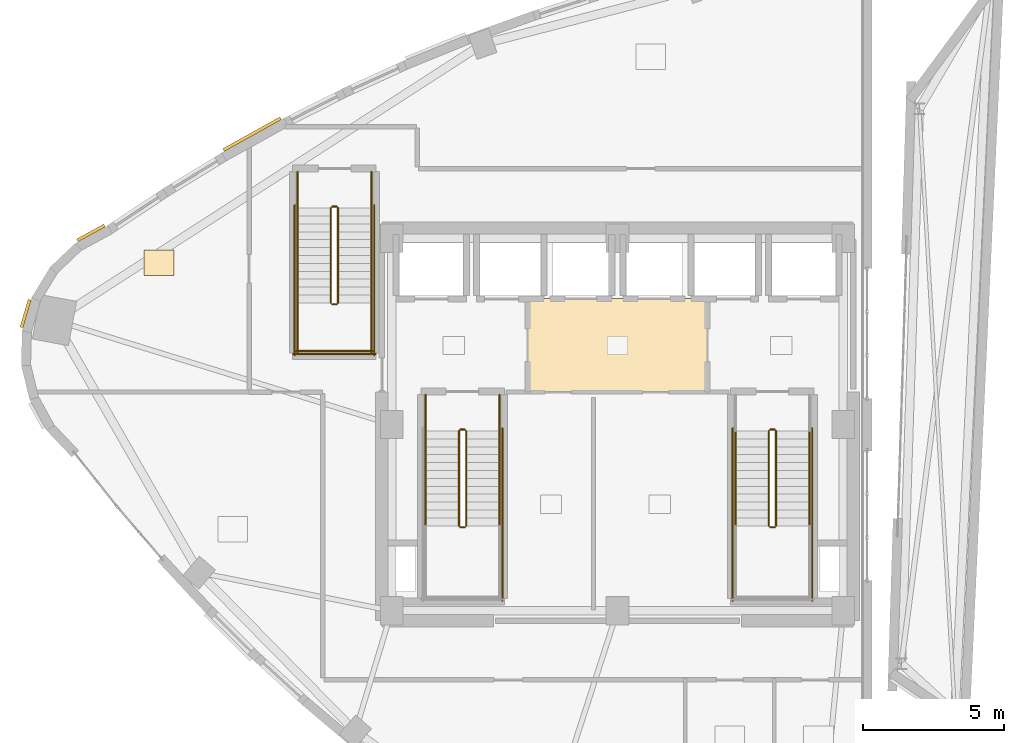
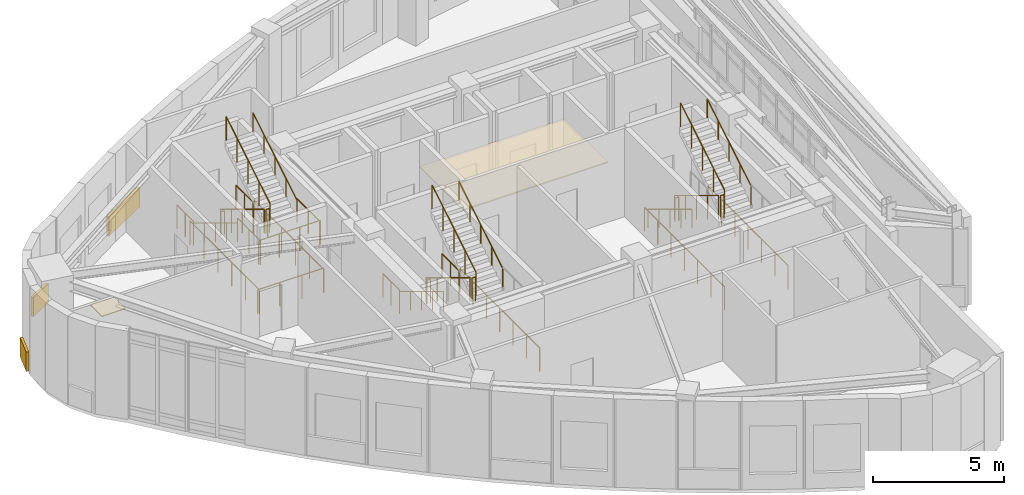
# One storey, part 18 of 19: 31 railings, 5 coverings.
"""IFC4 building model written with IfcOpenShell, lengths in metres."""

from ifc_helpers import new_model, si_unit, direction, frame, origin, origin_2d, place, context, subcontext, project, spatial, rectangle, circle, extrude, material, layer, layer_set, type_object, element, save


model = new_model("IFC4")

# Units and contexts
model_context = context("Model", 3, precision=1e-05, world=origin(), true_north=direction((0.0, 1.0)))
body_context = subcontext(model_context, "Body", "Model", "MODEL_VIEW")
ifc_project = project(units=[si_unit("LENGTHUNIT", "METRE"), si_unit("AREAUNIT", "SQUARE_METRE"), si_unit("VOLUMEUNIT", "CUBIC_METRE"), si_unit("PLANEANGLEUNIT", "RADIAN"), si_unit("MASSUNIT", "GRAM", prefix="KILO")], contexts=[model_context])

# Site, building, storey
site_placement = place(None, origin())
site = spatial("IfcSite", under=ifc_project, at=site_placement, CompositionType="ELEMENT")
building_placement = place(site_placement, origin())
building = spatial("IfcBuilding", under=site, at=building_placement, Name="Ndelora Gate Hotel", CompositionType="ELEMENT")
storey_placement = place(building_placement, frame((0.0, 0.0, 294.800048828125)))
storey = spatial("IfcBuildingStorey", under=building, at=storey_placement, Name="L73", CompositionType="ELEMENT", Elevation=294.800048828125)

# Coverings
ifc_material_1 = material(Name="Perforated Acoustic Gypsum Board", Category="gypsum")
ifc_layer_1 = layer(ifc_material_1, 0.054931640625)
ifc_layer_set_1 = layer_set([ifc_layer_1], Name="Perforated Acoustic Gypsum Board")
covering_type_1 = type_object("IfcCoveringType", Name="COV-CEIL-AC60", PredefinedType="CEILING", material=ifc_layer_set_1)
covering_1_placement = place(storey_placement, frame((0.0, 2.800048828125, 2.72265625), z_axis=(0.0, 0.0, 1.0), x_axis=(1.0, 0.0, 0.0)))
element("IfcCovering", 1, at=covering_1_placement, inside=storey, type_object=covering_type_1, Name="L73 Lift Lobby Acoustic Ceiling", PredefinedType="CEILING", context=body_context, shape_type="SweptSolid", body=[
    extrude(rectangle(XDim=6.39990234375, YDim=3.340087890625, at=origin_2d()), origin(), (0.0, 0.0, 1.0), 0.054931640625),
])
ifc_material_2 = material(Name="Terracotta Fired Clay Brick Slip Cladding", Category="masonry")
ifc_layer_2 = layer(ifc_material_2, 0.110107421875)
ifc_layer_set_2 = layer_set([ifc_layer_2], Name="Terracotta Fired Clay Brick Slip Cladding")
covering_type_2 = type_object("IfcCoveringType", Name="COV-CLAD-BRK", PredefinedType="CLADDING", material=ifc_layer_set_2)
covering_2_placement = place(storey_placement, frame((-18.65771484375, 6.7890625, 0.10009765625), z_axis=(0.0, 0.0, 1.0), x_axis=(0.878150016915, 0.478385354909, 0.0)))
element("IfcCovering", 2, at=covering_2_placement, inside=storey, type_object=covering_type_2, Name="L73 Rounded-Corner Brick Cladding Band 1", PredefinedType="CLADDING", context=body_context, shape_type="SweptSolid", body=[
    extrude(rectangle(XDim=1.09912109375, YDim=0.110107421875, at=origin_2d()), origin(), (0.0, 0.0, 1.0), 0.89990234375),
])
covering_3_placement = place(storey_placement, frame((-20.9736328125, 3.930419921875, 0.10009765625), z_axis=(0.0, 0.0, 1.0), x_axis=(0.282508884416, 0.959264682049, 0.0)))
element("IfcCovering", 3, at=covering_3_placement, inside=storey, type_object=covering_type_2, Name="L73 Rounded-Corner Brick Cladding Band 7", PredefinedType="CLADDING", context=body_context, shape_type="SweptSolid", body=[
    extrude(rectangle(XDim=1.01611328125, YDim=0.110107421875, at=origin_2d()), origin(), (0.0, 0.0, 1.0), 0.89990234375),
])
covering_4_placement = place(storey_placement, frame((-12.94775390625, 10.28857421875, 0.10009765625), z_axis=(0.0, 0.0, 1.0), x_axis=(0.873941932872, 0.486030346756, 0.0)))
element("IfcCovering", 4, at=covering_4_placement, inside=storey, type_object=covering_type_2, Name="L73 Rounded-Corner Brick Cladding Band 61", PredefinedType="CLADDING", context=body_context, shape_type="SweptSolid", body=[
    extrude(rectangle(XDim=2.31298828125, YDim=0.110107421875, at=origin_2d()), origin(), (0.0, 0.0, 1.0), 0.89990234375),
])
ifc_material_3 = material(Name="Engineered Highland Oak Parquet", Category="wood")
ifc_layer_3 = layer(ifc_material_3, 0.030029296875)
ifc_layer_set_3 = layer_set([ifc_layer_3], Name="Engineered Highland Oak Parquet")
covering_type_3 = type_object("IfcCoveringType", Name="COV-FLR-PARQ", PredefinedType="FLOORING", material=ifc_layer_set_3)
covering_5_placement = place(storey_placement, frame((-16.2470703125, 5.735107421875, 0.0), z_axis=(0.0, 0.0, 1.0), x_axis=(1.0, 0.0, 0.0)))
element("IfcCovering", 5, at=covering_5_placement, inside=storey, type_object=covering_type_3, Name="L73 Sommelier Wine Tasting Room Oak Parquet Flooring", PredefinedType="FLOORING", context=body_context, shape_type="SweptSolid", body=[
    extrude(rectangle(XDim=1.050048828125, YDim=0.89990234375, at=origin_2d()), origin(), (0.0, 0.0, 1.0), 0.030029296875),
])

# Railings
ifc_material_4 = material(Name="Painted Galvanized Steel Balustrade", Category="steel")
ifc_layer_4 = layer(ifc_material_4, 0.06005859375)
ifc_layer_set_4 = layer_set([ifc_layer_4], Name="Painted Galvanized Steel Balustrade")
railing_type_1 = type_object("IfcRailingType", Name="RL-STAIR-GD", PredefinedType="GUARDRAIL", material=ifc_layer_set_4)
railing_1_placement = place(storey_placement, frame((-5.6201171875, -0.22998046875, 0.169189453125)))
element("IfcRailing", 6, at=railing_1_placement, inside=storey, type_object=railing_type_1, Name="L73 ST4 stair guard 1", PredefinedType="GUARDRAIL", context=body_context, shape_type="SweptSolid", body=[
    extrude(circle(Radius=0.02392578125, at=origin_2d()), frame((0.0, 0.0, 1.10595703125), z_axis=(0.0, -0.855836976705, 0.517245656632), x_axis=(1.0, 0.0, 0.0)), (0.0, 0.0, 1.0), 3.926025390625),
    extrude(circle(Radius=0.02099609375, at=origin_2d()), origin(), (0.0, 0.0, 1.0), 1.081787109375),
    extrude(circle(Radius=0.02099609375, at=origin_2d()), frame((0.0, -0.840087890625, 0.5078125)), (0.0, 0.0, 1.0), 1.081787109375),
    extrude(circle(Radius=0.02099609375, at=origin_2d()), frame((0.0, -1.68017578125, 1.015380859375)), (0.0, 0.0, 1.0), 1.081787109375),
    extrude(circle(Radius=0.02099609375, at=origin_2d()), frame((0.0, -2.52001953125, 1.52294921875)), (0.0, 0.0, 1.0), 1.081787109375),
    extrude(circle(Radius=0.02099609375, at=origin_2d()), frame((0.0, -3.360107421875, 2.03076171875)), (0.0, 0.0, 1.0), 1.081787109375),
])
railing_2_placement = place(storey_placement, frame((-5.570068359375, -3.639892578125, 2.199951171875)))
element("IfcRailing", 7, at=railing_2_placement, inside=storey, type_object=railing_type_1, Name="L73 ST4 stair guard 2", PredefinedType="GUARDRAIL", context=body_context, shape_type="SweptSolid", body=[
    extrude(circle(Radius=0.02392578125, at=origin_2d()), frame((0.0, 0.0, 1.10595703125), z_axis=(1.0, 0.0, 0.0), x_axis=(0.0, 1.0, 0.0)), (0.0, 0.0, 1.0), 0.16015625),
    extrude(circle(Radius=0.02099609375, at=origin_2d()), origin(), (0.0, 0.0, 1.0), 1.081787109375),
    extrude(circle(Radius=0.02099609375, at=origin_2d()), frame((0.16015625, 0.0, 0.0)), (0.0, 0.0, 1.0), 1.081787109375),
])
railing_3_placement = place(storey_placement, frame((-5.360107421875, -3.590087890625, 2.369140625)))
element("IfcRailing", 8, at=railing_3_placement, inside=storey, type_object=railing_type_1, Name="L73 ST4 stair guard 6", PredefinedType="GUARDRAIL", context=body_context, shape_type="SweptSolid", body=[
    extrude(circle(Radius=0.02392578125, at=origin_2d()), frame((0.0, 0.0, 1.10595703125), z_axis=(0.0, 0.855836976705, 0.517245656632), x_axis=(-1.0, 0.0, 0.0)), (0.0, 0.0, 1.0), 3.926025390625),
    extrude(circle(Radius=0.02099609375, at=origin_2d()), origin(), (0.0, 0.0, 1.0), 1.081787109375),
    extrude(circle(Radius=0.02099609375, at=origin_2d()), frame((0.0, 0.840087890625, 0.5078125)), (0.0, 0.0, 1.0), 1.081787109375),
    extrude(circle(Radius=0.02099609375, at=origin_2d()), frame((0.0, 1.68017578125, 1.015380859375)), (0.0, 0.0, 1.0), 1.081787109375),
    extrude(circle(Radius=0.02099609375, at=origin_2d()), frame((0.0, 2.52001953125, 1.52294921875)), (0.0, 0.0, 1.0), 1.081787109375),
    extrude(circle(Radius=0.02099609375, at=origin_2d()), frame((0.0, 3.360107421875, 2.03076171875)), (0.0, 0.0, 1.0), 1.081787109375),
])
railing_4_placement = place(storey_placement, frame((-5.570068359375, -0.179931640625, 0.0)))
element("IfcRailing", 9, at=railing_4_placement, inside=storey, type_object=railing_type_1, Name="L73 ST4 stair guard 7", PredefinedType="GUARDRAIL", context=body_context, shape_type="SweptSolid", body=[
    extrude(circle(Radius=0.02392578125, at=origin_2d()), frame((0.0, 0.0, 1.10595703125), z_axis=(1.0, 0.0, 0.0), x_axis=(0.0, 1.0, 0.0)), (0.0, 0.0, 1.0), 0.16015625),
    extrude(circle(Radius=0.02099609375, at=origin_2d()), origin(), (0.0, 0.0, 1.0), 1.081787109375),
    extrude(circle(Radius=0.02099609375, at=origin_2d()), frame((0.16015625, 0.0, 0.0)), (0.0, 0.0, 1.0), 1.081787109375),
])
for number, where, name in (
    (10, (-6.800048828125, 1.050048828125, 0.0), "L73 ST4 stair guard 8"),
    (11, (-4.179931640625, 1.050048828125, 0.0), "L73 ST4 stair guard 9"),
):
    element("IfcRailing", number, at=place(storey_placement, frame(where)), inside=storey, type_object=railing_type_1, Name=name, PredefinedType="GUARDRAIL", context=body_context, shape_type="SweptSolid", body=[
        extrude(circle(Radius=0.02392578125, at=origin_2d()), frame((0.0, 0.0, 1.10595703125), z_axis=(0.0, -1.0, 0.0), x_axis=(1.0, 0.0, 0.0)), (0.0, 0.0, 1.0), 1.280029296875),
        extrude(circle(Radius=0.02099609375, at=origin_2d()), origin(), (0.0, 0.0, 1.0), 1.081787109375),
        extrude(circle(Radius=0.02099609375, at=origin_2d()), frame((0.0, -0.64013671875, 0.0)), (0.0, 0.0, 1.0), 1.081787109375),
        extrude(circle(Radius=0.02099609375, at=origin_2d()), frame((0.0, -1.280029296875, 0.0)), (0.0, 0.0, 1.0), 1.081787109375),
    ])
railing_5_placement = place(storey_placement, frame((-4.080078125, -0.1298828125, 0.0)))
element("IfcRailing", 12, at=railing_5_placement, inside=storey, type_object=railing_type_1, Name="L73 ST4 stair guard 11", PredefinedType="GUARDRAIL", context=body_context, shape_type="SweptSolid", body=[
    extrude(circle(Radius=0.02392578125, at=origin_2d()), frame((0.0, 0.0, 1.10595703125), z_axis=(0.0, -1.0, 0.0), x_axis=(1.0, 0.0, 0.0)), (0.0, 0.0, 1.0), 6.1201171875),
    extrude(circle(Radius=0.02099609375, at=origin_2d()), origin(), (0.0, 0.0, 1.0), 1.081787109375),
    extrude(circle(Radius=0.02099609375, at=origin_2d()), frame((0.0, -1.02001953125, 0.0)), (0.0, 0.0, 1.0), 1.081787109375),
    extrude(circle(Radius=0.02099609375, at=origin_2d()), frame((0.0, -2.0400390625, 0.0)), (0.0, 0.0, 1.0), 1.081787109375),
    extrude(circle(Radius=0.02099609375, at=origin_2d()), frame((0.0, -3.06005859375, 0.0)), (0.0, 0.0, 1.0), 1.081787109375),
    extrude(circle(Radius=0.02099609375, at=origin_2d()), frame((0.0, -4.080078125, 0.0)), (0.0, 0.0, 1.0), 1.081787109375),
    extrude(circle(Radius=0.02099609375, at=origin_2d()), frame((0.0, -5.10009765625, 0.0)), (0.0, 0.0, 1.0), 1.081787109375),
    extrude(circle(Radius=0.02099609375, at=origin_2d()), frame((0.0, -6.1201171875, 0.0)), (0.0, 0.0, 1.0), 1.081787109375),
])
railing_6_placement = place(storey_placement, frame((5.360107421875, -0.22998046875, 0.169189453125)))
element("IfcRailing", 13, at=railing_6_placement, inside=storey, type_object=railing_type_1, Name="L73 ST5 stair guard 1", PredefinedType="GUARDRAIL", context=body_context, shape_type="SweptSolid", body=[
    extrude(circle(Radius=0.02392578125, at=origin_2d()), frame((0.0, 0.0, 1.10595703125), z_axis=(0.0, -0.855836976705, 0.517245656632), x_axis=(1.0, 0.0, 0.0)), (0.0, 0.0, 1.0), 3.926025390625),
    extrude(circle(Radius=0.02099609375, at=origin_2d()), origin(), (0.0, 0.0, 1.0), 1.081787109375),
    extrude(circle(Radius=0.02099609375, at=origin_2d()), frame((0.0, -0.840087890625, 0.5078125)), (0.0, 0.0, 1.0), 1.081787109375),
    extrude(circle(Radius=0.02099609375, at=origin_2d()), frame((0.0, -1.68017578125, 1.015380859375)), (0.0, 0.0, 1.0), 1.081787109375),
    extrude(circle(Radius=0.02099609375, at=origin_2d()), frame((0.0, -2.52001953125, 1.52294921875)), (0.0, 0.0, 1.0), 1.081787109375),
    extrude(circle(Radius=0.02099609375, at=origin_2d()), frame((0.0, -3.360107421875, 2.03076171875)), (0.0, 0.0, 1.0), 1.081787109375),
])
railing_7_placement = place(storey_placement, frame((5.409912109375, -3.639892578125, 2.199951171875)))
element("IfcRailing", 14, at=railing_7_placement, inside=storey, type_object=railing_type_1, Name="L73 ST5 stair guard 2", PredefinedType="GUARDRAIL", context=body_context, shape_type="SweptSolid", body=[
    extrude(circle(Radius=0.02392578125, at=origin_2d()), frame((0.0, 0.0, 1.10595703125), z_axis=(1.0, 0.0, 0.0), x_axis=(0.0, 1.0, 0.0)), (0.0, 0.0, 1.0), 0.16015625),
    extrude(circle(Radius=0.02099609375, at=origin_2d()), origin(), (0.0, 0.0, 1.0), 1.081787109375),
    extrude(circle(Radius=0.02099609375, at=origin_2d()), frame((0.16015625, 0.0, 0.0)), (0.0, 0.0, 1.0), 1.081787109375),
])
railing_8_placement = place(storey_placement, frame((5.6201171875, -3.590087890625, 2.369140625)))
element("IfcRailing", 15, at=railing_8_placement, inside=storey, type_object=railing_type_1, Name="L73 ST5 stair guard 6", PredefinedType="GUARDRAIL", context=body_context, shape_type="SweptSolid", body=[
    extrude(circle(Radius=0.02392578125, at=origin_2d()), frame((0.0, 0.0, 1.10595703125), z_axis=(0.0, 0.855836976705, 0.517245656632), x_axis=(-1.0, 0.0, 0.0)), (0.0, 0.0, 1.0), 3.926025390625),
    extrude(circle(Radius=0.02099609375, at=origin_2d()), origin(), (0.0, 0.0, 1.0), 1.081787109375),
    extrude(circle(Radius=0.02099609375, at=origin_2d()), frame((0.0, 0.840087890625, 0.5078125)), (0.0, 0.0, 1.0), 1.081787109375),
    extrude(circle(Radius=0.02099609375, at=origin_2d()), frame((0.0, 1.68017578125, 1.015380859375)), (0.0, 0.0, 1.0), 1.081787109375),
    extrude(circle(Radius=0.02099609375, at=origin_2d()), frame((0.0, 2.52001953125, 1.52294921875)), (0.0, 0.0, 1.0), 1.081787109375),
    extrude(circle(Radius=0.02099609375, at=origin_2d()), frame((0.0, 3.360107421875, 2.03076171875)), (0.0, 0.0, 1.0), 1.081787109375),
])
railing_9_placement = place(storey_placement, frame((5.409912109375, -0.179931640625, 0.0)))
element("IfcRailing", 16, at=railing_9_placement, inside=storey, type_object=railing_type_1, Name="L73 ST5 stair guard 7", PredefinedType="GUARDRAIL", context=body_context, shape_type="SweptSolid", body=[
    extrude(circle(Radius=0.02392578125, at=origin_2d()), frame((0.0, 0.0, 1.10595703125), z_axis=(1.0, 0.0, 0.0), x_axis=(0.0, 1.0, 0.0)), (0.0, 0.0, 1.0), 0.16015625),
    extrude(circle(Radius=0.02099609375, at=origin_2d()), origin(), (0.0, 0.0, 1.0), 1.081787109375),
    extrude(circle(Radius=0.02099609375, at=origin_2d()), frame((0.16015625, 0.0, 0.0)), (0.0, 0.0, 1.0), 1.081787109375),
])
for number, where, name in (
    (17, (4.080078125, -0.1298828125, 0.0), "L73 ST5 stair guard 10"),
    (18, (6.89990234375, -0.1298828125, 0.0), "L73 ST5 stair guard 11"),
):
    element("IfcRailing", number, at=place(storey_placement, frame(where)), inside=storey, type_object=railing_type_1, Name=name, PredefinedType="GUARDRAIL", context=body_context, shape_type="SweptSolid", body=[
        extrude(circle(Radius=0.02392578125, at=origin_2d()), frame((0.0, 0.0, 1.10595703125), z_axis=(0.0, -1.0, 0.0), x_axis=(1.0, 0.0, 0.0)), (0.0, 0.0, 1.0), 6.1201171875),
        extrude(circle(Radius=0.02099609375, at=origin_2d()), origin(), (0.0, 0.0, 1.0), 1.081787109375),
        extrude(circle(Radius=0.02099609375, at=origin_2d()), frame((0.0, -1.02001953125, 0.0)), (0.0, 0.0, 1.0), 1.081787109375),
        extrude(circle(Radius=0.02099609375, at=origin_2d()), frame((0.0, -2.0400390625, 0.0)), (0.0, 0.0, 1.0), 1.081787109375),
        extrude(circle(Radius=0.02099609375, at=origin_2d()), frame((0.0, -3.06005859375, 0.0)), (0.0, 0.0, 1.0), 1.081787109375),
        extrude(circle(Radius=0.02099609375, at=origin_2d()), frame((0.0, -4.080078125, 0.0)), (0.0, 0.0, 1.0), 1.081787109375),
        extrude(circle(Radius=0.02099609375, at=origin_2d()), frame((0.0, -5.10009765625, 0.0)), (0.0, 0.0, 1.0), 1.081787109375),
        extrude(circle(Radius=0.02099609375, at=origin_2d()), frame((0.0, -6.1201171875, 0.0)), (0.0, 0.0, 1.0), 1.081787109375),
    ])
railing_10_placement = place(storey_placement, frame((-10.159912109375, 7.669921875, 0.169189453125)))
element("IfcRailing", 19, at=railing_10_placement, inside=storey, type_object=railing_type_1, Name="L73 ST6 stair guard 1", PredefinedType="GUARDRAIL", context=body_context, shape_type="SweptSolid", body=[
    extrude(circle(Radius=0.02392578125, at=origin_2d()), frame((0.0, 0.0, 1.10595703125), z_axis=(0.0, -0.855820338506, 0.51727318527), x_axis=(1.0, 0.0, 0.0)), (0.0, 0.0, 1.0), 3.92578125),
    extrude(circle(Radius=0.02099609375, at=origin_2d()), origin(), (0.0, 0.0, 1.0), 1.081787109375),
    extrude(circle(Radius=0.02099609375, at=origin_2d()), frame((0.0, -0.83984375, 0.5078125)), (0.0, 0.0, 1.0), 1.081787109375),
    extrude(circle(Radius=0.02099609375, at=origin_2d()), frame((0.0, -1.679931640625, 1.015380859375)), (0.0, 0.0, 1.0), 1.081787109375),
    extrude(circle(Radius=0.02099609375, at=origin_2d()), frame((0.0, -2.52001953125, 1.52294921875)), (0.0, 0.0, 1.0), 1.081787109375),
    extrude(circle(Radius=0.02099609375, at=origin_2d()), frame((0.0, -3.35986328125, 2.03076171875)), (0.0, 0.0, 1.0), 1.081787109375),
])
railing_11_placement = place(storey_placement, frame((-10.110107421875, 4.260009765625, 2.199951171875)))
element("IfcRailing", 20, at=railing_11_placement, inside=storey, type_object=railing_type_1, Name="L73 ST6 stair guard 2", PredefinedType="GUARDRAIL", context=body_context, shape_type="SweptSolid", body=[
    extrude(circle(Radius=0.02392578125, at=origin_2d()), frame((0.0, 0.0, 1.10595703125), z_axis=(1.0, 0.0, 0.0), x_axis=(0.0, 1.0, 0.0)), (0.0, 0.0, 1.0), 0.16015625),
    extrude(circle(Radius=0.02099609375, at=origin_2d()), origin(), (0.0, 0.0, 1.0), 1.081787109375),
    extrude(circle(Radius=0.02099609375, at=origin_2d()), frame((0.16015625, 0.0, 0.0)), (0.0, 0.0, 1.0), 1.081787109375),
])
for number, where, name in (
    (21, (-11.340087890625, 4.31005859375, 2.199951171875), "L73 ST6 stair guard 3"),
    (22, (-8.719970703125, 4.31005859375, 2.199951171875), "L73 ST6 stair guard 4"),
):
    element("IfcRailing", number, at=place(storey_placement, frame(where)), inside=storey, type_object=railing_type_1, Name=name, PredefinedType="GUARDRAIL", context=body_context, shape_type="SweptSolid", body=[
        extrude(circle(Radius=0.02392578125, at=origin_2d()), frame((0.0, 0.0, 1.10595703125), z_axis=(0.0, -1.0, 0.0), x_axis=(1.0, 0.0, 0.0)), (0.0, 0.0, 1.0), 1.760009765625),
        extrude(circle(Radius=0.02099609375, at=origin_2d()), origin(), (0.0, 0.0, 1.0), 1.081787109375),
        extrude(circle(Radius=0.02099609375, at=origin_2d()), frame((0.0, -0.8798828125, 0.0)), (0.0, 0.0, 1.0), 1.081787109375),
        extrude(circle(Radius=0.02099609375, at=origin_2d()), frame((0.0, -1.760009765625, 0.0)), (0.0, 0.0, 1.0), 1.081787109375),
    ])
railing_12_placement = place(storey_placement, frame((-11.389892578125, 2.60009765625, 2.199951171875)))
element("IfcRailing", 23, at=railing_12_placement, inside=storey, type_object=railing_type_1, Name="L73 ST6 stair guard 5", PredefinedType="GUARDRAIL", context=body_context, shape_type="SweptSolid", body=[
    extrude(circle(Radius=0.02392578125, at=origin_2d()), frame((0.0, 0.0, 1.10595703125), z_axis=(1.0, 0.0, 0.0), x_axis=(0.0, 1.0, 0.0)), (0.0, 0.0, 1.0), 2.719970703125),
    extrude(circle(Radius=0.02099609375, at=origin_2d()), origin(), (0.0, 0.0, 1.0), 1.081787109375),
    extrude(circle(Radius=0.02099609375, at=origin_2d()), frame((0.90673828125, 0.0, 0.0)), (0.0, 0.0, 1.0), 1.081787109375),
    extrude(circle(Radius=0.02099609375, at=origin_2d()), frame((1.813232421875, 0.0, 0.0)), (0.0, 0.0, 1.0), 1.081787109375),
    extrude(circle(Radius=0.02099609375, at=origin_2d()), frame((2.719970703125, 0.0, 0.0)), (0.0, 0.0, 1.0), 1.081787109375),
])
railing_13_placement = place(storey_placement, frame((-9.89990234375, 4.31005859375, 2.369140625)))
element("IfcRailing", 24, at=railing_13_placement, inside=storey, type_object=railing_type_1, Name="L73 ST6 stair guard 6", PredefinedType="GUARDRAIL", context=body_context, shape_type="SweptSolid", body=[
    extrude(circle(Radius=0.02392578125, at=origin_2d()), frame((0.0, 0.0, 1.10595703125), z_axis=(0.0, 0.855820338506, 0.51727318527), x_axis=(-1.0, 0.0, 0.0)), (0.0, 0.0, 1.0), 3.92578125),
    extrude(circle(Radius=0.02099609375, at=origin_2d()), origin(), (0.0, 0.0, 1.0), 1.081787109375),
    extrude(circle(Radius=0.02099609375, at=origin_2d()), frame((0.0, 0.83984375, 0.5078125)), (0.0, 0.0, 1.0), 1.081787109375),
    extrude(circle(Radius=0.02099609375, at=origin_2d()), frame((0.0, 1.679931640625, 1.015380859375)), (0.0, 0.0, 1.0), 1.081787109375),
    extrude(circle(Radius=0.02099609375, at=origin_2d()), frame((0.0, 2.52001953125, 1.52294921875)), (0.0, 0.0, 1.0), 1.081787109375),
    extrude(circle(Radius=0.02099609375, at=origin_2d()), frame((0.0, 3.35986328125, 2.03076171875)), (0.0, 0.0, 1.0), 1.081787109375),
])
railing_14_placement = place(storey_placement, frame((-10.110107421875, 7.719970703125, 0.0)))
element("IfcRailing", 25, at=railing_14_placement, inside=storey, type_object=railing_type_1, Name="L73 ST6 stair guard 7", PredefinedType="GUARDRAIL", context=body_context, shape_type="SweptSolid", body=[
    extrude(circle(Radius=0.02392578125, at=origin_2d()), frame((0.0, 0.0, 1.10595703125), z_axis=(1.0, 0.0, 0.0), x_axis=(0.0, 1.0, 0.0)), (0.0, 0.0, 1.0), 0.16015625),
    extrude(circle(Radius=0.02099609375, at=origin_2d()), origin(), (0.0, 0.0, 1.0), 1.081787109375),
    extrude(circle(Radius=0.02099609375, at=origin_2d()), frame((0.16015625, 0.0, 0.0)), (0.0, 0.0, 1.0), 1.081787109375),
])
for number, where, name in (
    (26, (-11.340087890625, 8.949951171875, 0.0), "L73 ST6 stair guard 8"),
    (27, (-8.719970703125, 8.949951171875, 0.0), "L73 ST6 stair guard 9"),
):
    element("IfcRailing", number, at=place(storey_placement, frame(where)), inside=storey, type_object=railing_type_1, Name=name, PredefinedType="GUARDRAIL", context=body_context, shape_type="SweptSolid", body=[
        extrude(circle(Radius=0.02392578125, at=origin_2d()), frame((0.0, 0.0, 1.10595703125), z_axis=(0.0, -1.0, 0.0), x_axis=(1.0, 0.0, 0.0)), (0.0, 0.0, 1.0), 1.280029296875),
        extrude(circle(Radius=0.02099609375, at=origin_2d()), origin(), (0.0, 0.0, 1.0), 1.081787109375),
        extrude(circle(Radius=0.02099609375, at=origin_2d()), frame((0.0, -0.64013671875, 0.0)), (0.0, 0.0, 1.0), 1.081787109375),
        extrude(circle(Radius=0.02099609375, at=origin_2d()), frame((0.0, -1.280029296875, 0.0)), (0.0, 0.0, 1.0), 1.081787109375),
    ])
for number, where, name in (
    (28, (-11.43994140625, 7.77001953125, 0.0), "L73 ST6 stair guard 10"),
    (29, (-8.6201171875, 7.77001953125, 0.0), "L73 ST6 stair guard 11"),
):
    element("IfcRailing", number, at=place(storey_placement, frame(where)), inside=storey, type_object=railing_type_1, Name=name, PredefinedType="GUARDRAIL", context=body_context, shape_type="SweptSolid", body=[
        extrude(circle(Radius=0.02392578125, at=origin_2d()), frame((0.0, 0.0, 1.10595703125), z_axis=(0.0, -1.0, 0.0), x_axis=(1.0, 0.0, 0.0)), (0.0, 0.0, 1.0), 5.320068359375),
        extrude(circle(Radius=0.02099609375, at=origin_2d()), origin(), (0.0, 0.0, 1.0), 1.081787109375),
        extrude(circle(Radius=0.02099609375, at=origin_2d()), frame((0.0, -1.06396484375, 0.0)), (0.0, 0.0, 1.0), 1.081787109375),
        extrude(circle(Radius=0.02099609375, at=origin_2d()), frame((0.0, -2.1279296875, 0.0)), (0.0, 0.0, 1.0), 1.081787109375),
        extrude(circle(Radius=0.02099609375, at=origin_2d()), frame((0.0, -3.192138671875, 0.0)), (0.0, 0.0, 1.0), 1.081787109375),
        extrude(circle(Radius=0.02099609375, at=origin_2d()), frame((0.0, -4.256103515625, 0.0)), (0.0, 0.0, 1.0), 1.081787109375),
        extrude(circle(Radius=0.02099609375, at=origin_2d()), frame((0.0, -5.320068359375, 0.0)), (0.0, 0.0, 1.0), 1.081787109375),
    ])
railing_15_placement = place(storey_placement, frame((-11.489990234375, 2.5, 0.0)))
element("IfcRailing", 30, at=railing_15_placement, inside=storey, type_object=railing_type_1, Name="L73 ST6 stair guard 12", PredefinedType="GUARDRAIL", context=body_context, shape_type="SweptSolid", body=[
    extrude(circle(Radius=0.02392578125, at=origin_2d()), frame((0.0, 0.0, 1.10595703125), z_axis=(1.0, 0.0, 0.0), x_axis=(0.0, 1.0, 0.0)), (0.0, 0.0, 1.0), 2.919921875),
    extrude(circle(Radius=0.02099609375, at=origin_2d()), origin(), (0.0, 0.0, 1.0), 1.081787109375),
    extrude(circle(Radius=0.02099609375, at=origin_2d()), frame((0.973388671875, 0.0, 0.0)), (0.0, 0.0, 1.0), 1.081787109375),
    extrude(circle(Radius=0.02099609375, at=origin_2d()), frame((1.946533203125, 0.0, 0.0)), (0.0, 0.0, 1.0), 1.081787109375),
    extrude(circle(Radius=0.02099609375, at=origin_2d()), frame((2.919921875, 0.0, 0.0)), (0.0, 0.0, 1.0), 1.081787109375),
])
ifc_material_5 = material(Name="Brushed Stainless Steel 316", Category="steel")
ifc_layer_5 = layer(ifc_material_5, 0.050048828125)
ifc_layer_set_5 = layer_set([ifc_layer_5], Name="Brushed Stainless Steel 316")
railing_type_2 = type_object("IfcRailingType", Name="RL-STAIR-HR", PredefinedType="HANDRAIL", material=ifc_layer_set_5)
railing_16_placement = place(storey_placement, frame((-6.800048828125, -0.22998046875, 0.169189453125)))
element("IfcRailing", 31, at=railing_16_placement, inside=storey, type_object=railing_type_2, Name="L73 ST4 stair handrail 1", PredefinedType="HANDRAIL", context=body_context, shape_type="SweptSolid", body=[
    extrude(circle(Radius=0.02392578125, at=origin_2d()), frame((0.0, 0.0, 0.8759765625), z_axis=(0.0, -0.855836976705, 0.517245656632), x_axis=(1.0, 0.0, 0.0)), (0.0, 0.0, 1.0), 3.926025390625),
    extrude(circle(Radius=0.02099609375, at=origin_2d()), origin(), (0.0, 0.0, 1.0), 0.851806640625),
    extrude(circle(Radius=0.02099609375, at=origin_2d()), frame((0.0, -0.840087890625, 0.5078125)), (0.0, 0.0, 1.0), 0.851806640625),
    extrude(circle(Radius=0.02099609375, at=origin_2d()), frame((0.0, -1.68017578125, 1.015380859375)), (0.0, 0.0, 1.0), 0.851806640625),
    extrude(circle(Radius=0.02099609375, at=origin_2d()), frame((0.0, -2.52001953125, 1.52294921875)), (0.0, 0.0, 1.0), 0.851806640625),
    extrude(circle(Radius=0.02099609375, at=origin_2d()), frame((0.0, -3.360107421875, 2.03076171875)), (0.0, 0.0, 1.0), 0.851806640625),
])
railing_17_placement = place(storey_placement, frame((-4.179931640625, -3.590087890625, 2.369140625)))
element("IfcRailing", 32, at=railing_17_placement, inside=storey, type_object=railing_type_2, Name="L73 ST4 stair handrail 2", PredefinedType="HANDRAIL", context=body_context, shape_type="SweptSolid", body=[
    extrude(circle(Radius=0.02392578125, at=origin_2d()), frame((0.0, 0.0, 0.8759765625), z_axis=(0.0, 0.855836976705, 0.517245656632), x_axis=(-1.0, 0.0, 0.0)), (0.0, 0.0, 1.0), 3.926025390625),
    extrude(circle(Radius=0.02099609375, at=origin_2d()), origin(), (0.0, 0.0, 1.0), 0.851806640625),
    extrude(circle(Radius=0.02099609375, at=origin_2d()), frame((0.0, 0.840087890625, 0.5078125)), (0.0, 0.0, 1.0), 0.851806640625),
    extrude(circle(Radius=0.02099609375, at=origin_2d()), frame((0.0, 1.68017578125, 1.015380859375)), (0.0, 0.0, 1.0), 0.851806640625),
    extrude(circle(Radius=0.02099609375, at=origin_2d()), frame((0.0, 2.52001953125, 1.52294921875)), (0.0, 0.0, 1.0), 0.851806640625),
    extrude(circle(Radius=0.02099609375, at=origin_2d()), frame((0.0, 3.360107421875, 2.03076171875)), (0.0, 0.0, 1.0), 0.851806640625),
])
railing_18_placement = place(storey_placement, frame((4.179931640625, -0.22998046875, 0.169189453125)))
element("IfcRailing", 33, at=railing_18_placement, inside=storey, type_object=railing_type_2, Name="L73 ST5 stair handrail 1", PredefinedType="HANDRAIL", context=body_context, shape_type="SweptSolid", body=[
    extrude(circle(Radius=0.02392578125, at=origin_2d()), frame((0.0, 0.0, 0.8759765625), z_axis=(0.0, -0.855836976705, 0.517245656632), x_axis=(1.0, 0.0, 0.0)), (0.0, 0.0, 1.0), 3.926025390625),
    extrude(circle(Radius=0.02099609375, at=origin_2d()), origin(), (0.0, 0.0, 1.0), 0.851806640625),
    extrude(circle(Radius=0.02099609375, at=origin_2d()), frame((0.0, -0.840087890625, 0.5078125)), (0.0, 0.0, 1.0), 0.851806640625),
    extrude(circle(Radius=0.02099609375, at=origin_2d()), frame((0.0, -1.68017578125, 1.015380859375)), (0.0, 0.0, 1.0), 0.851806640625),
    extrude(circle(Radius=0.02099609375, at=origin_2d()), frame((0.0, -2.52001953125, 1.52294921875)), (0.0, 0.0, 1.0), 0.851806640625),
    extrude(circle(Radius=0.02099609375, at=origin_2d()), frame((0.0, -3.360107421875, 2.03076171875)), (0.0, 0.0, 1.0), 0.851806640625),
])
railing_19_placement = place(storey_placement, frame((6.800048828125, -3.590087890625, 2.369140625)))
element("IfcRailing", 34, at=railing_19_placement, inside=storey, type_object=railing_type_2, Name="L73 ST5 stair handrail 2", PredefinedType="HANDRAIL", context=body_context, shape_type="SweptSolid", body=[
    extrude(circle(Radius=0.02392578125, at=origin_2d()), frame((0.0, 0.0, 0.8759765625), z_axis=(0.0, 0.855836976705, 0.517245656632), x_axis=(-1.0, 0.0, 0.0)), (0.0, 0.0, 1.0), 3.926025390625),
    extrude(circle(Radius=0.02099609375, at=origin_2d()), origin(), (0.0, 0.0, 1.0), 0.851806640625),
    extrude(circle(Radius=0.02099609375, at=origin_2d()), frame((0.0, 0.840087890625, 0.5078125)), (0.0, 0.0, 1.0), 0.851806640625),
    extrude(circle(Radius=0.02099609375, at=origin_2d()), frame((0.0, 1.68017578125, 1.015380859375)), (0.0, 0.0, 1.0), 0.851806640625),
    extrude(circle(Radius=0.02099609375, at=origin_2d()), frame((0.0, 2.52001953125, 1.52294921875)), (0.0, 0.0, 1.0), 0.851806640625),
    extrude(circle(Radius=0.02099609375, at=origin_2d()), frame((0.0, 3.360107421875, 2.03076171875)), (0.0, 0.0, 1.0), 0.851806640625),
])
railing_20_placement = place(storey_placement, frame((-11.340087890625, 7.669921875, 0.169189453125)))
element("IfcRailing", 35, at=railing_20_placement, inside=storey, type_object=railing_type_2, Name="L73 ST6 stair handrail 1", PredefinedType="HANDRAIL", context=body_context, shape_type="SweptSolid", body=[
    extrude(circle(Radius=0.02392578125, at=origin_2d()), frame((0.0, 0.0, 0.8759765625), z_axis=(0.0, -0.855820338506, 0.51727318527), x_axis=(1.0, 0.0, 0.0)), (0.0, 0.0, 1.0), 3.92578125),
    extrude(circle(Radius=0.02099609375, at=origin_2d()), origin(), (0.0, 0.0, 1.0), 0.851806640625),
    extrude(circle(Radius=0.02099609375, at=origin_2d()), frame((0.0, -0.83984375, 0.5078125)), (0.0, 0.0, 1.0), 0.851806640625),
    extrude(circle(Radius=0.02099609375, at=origin_2d()), frame((0.0, -1.679931640625, 1.015380859375)), (0.0, 0.0, 1.0), 0.851806640625),
    extrude(circle(Radius=0.02099609375, at=origin_2d()), frame((0.0, -2.52001953125, 1.52294921875)), (0.0, 0.0, 1.0), 0.851806640625),
    extrude(circle(Radius=0.02099609375, at=origin_2d()), frame((0.0, -3.35986328125, 2.03076171875)), (0.0, 0.0, 1.0), 0.851806640625),
])
railing_21_placement = place(storey_placement, frame((-8.719970703125, 4.31005859375, 2.369140625)))
element("IfcRailing", 36, at=railing_21_placement, inside=storey, type_object=railing_type_2, Name="L73 ST6 stair handrail 2", PredefinedType="HANDRAIL", context=body_context, shape_type="SweptSolid", body=[
    extrude(circle(Radius=0.02392578125, at=origin_2d()), frame((0.0, 0.0, 0.8759765625), z_axis=(0.0, 0.855820338506, 0.51727318527), x_axis=(-1.0, 0.0, 0.0)), (0.0, 0.0, 1.0), 3.92578125),
    extrude(circle(Radius=0.02099609375, at=origin_2d()), origin(), (0.0, 0.0, 1.0), 0.851806640625),
    extrude(circle(Radius=0.02099609375, at=origin_2d()), frame((0.0, 0.83984375, 0.5078125)), (0.0, 0.0, 1.0), 0.851806640625),
    extrude(circle(Radius=0.02099609375, at=origin_2d()), frame((0.0, 1.679931640625, 1.015380859375)), (0.0, 0.0, 1.0), 0.851806640625),
    extrude(circle(Radius=0.02099609375, at=origin_2d()), frame((0.0, 2.52001953125, 1.52294921875)), (0.0, 0.0, 1.0), 0.851806640625),
    extrude(circle(Radius=0.02099609375, at=origin_2d()), frame((0.0, 3.35986328125, 2.03076171875)), (0.0, 0.0, 1.0), 0.851806640625),
])

save(model, "model.ifc")
